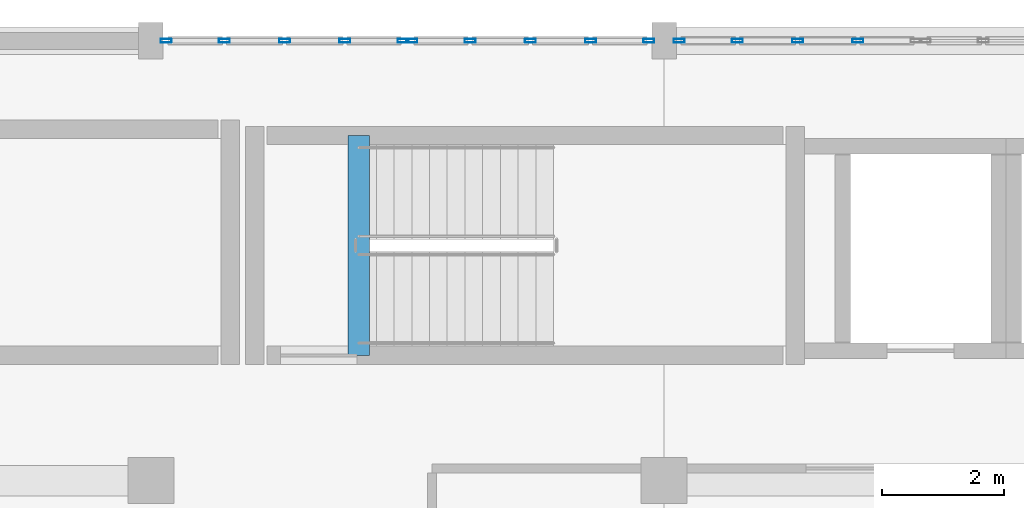
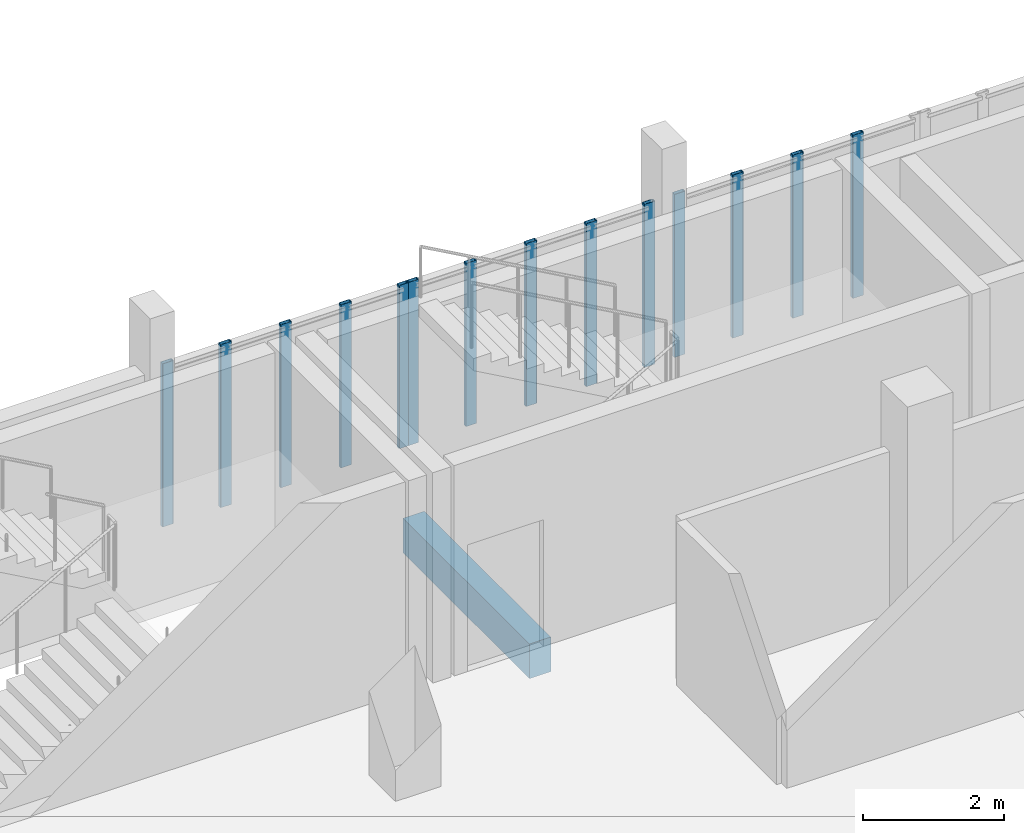
# One storey, part 114 of 188: 14 members, 1 beam, 3 elements without a shape of their own.
"""IFC4 building model written with IfcOpenShell, lengths in metres."""

from ifc_helpers import new_model, si_unit, direction, frame, origin, origin_2d, place, context, subcontext, project, spatial, rectangle, hollow_rectangle, extrude, material, layer, layer_set, material_profile, profile_set, type_object, element, aggregate, save


model = new_model("IFC4")

# Units and contexts
model_context = context("Model", 3, precision=1e-05, world=origin(), true_north=direction((0.0, 1.0)))
body_context = subcontext(model_context, "Body", "Model", "MODEL_VIEW")
ifc_project = project(units=[si_unit("LENGTHUNIT", "METRE"), si_unit("AREAUNIT", "SQUARE_METRE"), si_unit("VOLUMEUNIT", "CUBIC_METRE"), si_unit("PLANEANGLEUNIT", "RADIAN"), si_unit("MASSUNIT", "GRAM", prefix="KILO")], contexts=[model_context])

# Site, building, storey
site_placement = place(None, origin())
site = spatial("IfcSite", under=ifc_project, at=site_placement, CompositionType="ELEMENT")
building_placement = place(site_placement, origin())
building = spatial("IfcBuilding", under=site, at=building_placement, Name="Kisaragi Civic Commons", CompositionType="ELEMENT")
storey_placement = place(building_placement, frame((0.0, 0.0, 9.60009765625)))
storey = spatial("IfcBuildingStorey", under=building, at=storey_placement, Name="L02", CompositionType="ELEMENT", Elevation=9.60009765625)

# Curtain wall, members
ifc_material_1 = material(Name="Thermally broken anodized aluminium and low-E double glazing", Category="aluminium")
ifc_layer = layer(ifc_material_1, 0.179931640625, Name="Thermally broken anodized aluminium and low-E double glazing", Category="aluminium")
ifc_layer_set = layer_set([ifc_layer], Name="Thermally broken anodized aluminium and low-E double glazing")
curtain_wall_type = type_object("IfcCurtainWallType", Name="CW-01", PredefinedType="NOTDEFINED", material=ifc_layer_set)
curtain_wall_1_placement = place(storey_placement, origin())
curtain_wall_1 = element("IfcCurtainWall", 1, at=curtain_wall_1_placement, inside=storey, type_object=curtain_wall_type, Name="L02 curtain wall CW-01 CW-V4-L02-081", PredefinedType="NOTDEFINED")
ifc_material_profile_1 = material_profile(ifc_material_1, hollow_rectangle(XDim=0.06494140625, YDim=0.179931640625, WallThickness=0.00439453125, InnerFilletRadius=0.00439453125, OuterFilletRadius=0.009033203125, at=origin_2d()), Name="CWM-65x180x4.5", Category="aluminium")
ifc_profile_set_1 = profile_set([ifc_material_profile_1], Name="Thermally broken anodized aluminium and low-E double glazing")
member_type = type_object("IfcMemberType", Name="CWM-02", PredefinedType="MULLION", material=ifc_profile_set_1)
member_1_placement = place(storey_placement, frame((97.447509765625, 118.800048828125, 0.0), z_axis=(0.0, 0.0, 1.0), x_axis=(0.0, 1.0, 0.0)))
member_1 = element("IfcMember", 2, at=member_1_placement, type_object=member_type, Name="CW-01 mullion 1", PredefinedType="MULLION", context=body_context, shape_type="SweptSolid", body=[
    extrude(hollow_rectangle(XDim=0.06494140625, YDim=0.179931640625, WallThickness=0.00439453125, InnerFilletRadius=0.00439453125, OuterFilletRadius=0.009033203125, at=origin_2d()), origin(), (0.0, 0.0, 1.0), 2.829833984375),
])
member_2_placement = place(storey_placement, frame((98.4013671875, 118.800048828125, 0.0), z_axis=(0.0, 0.0, 1.0), x_axis=(0.0, 1.0, 0.0)))
member_2 = element("IfcMember", 3, at=member_2_placement, type_object=member_type, Name="CW-01 mullion 2", PredefinedType="MULLION", context=body_context, shape_type="SweptSolid", body=[
    extrude(hollow_rectangle(XDim=0.06494140625, YDim=0.179931640625, WallThickness=0.00439453125, InnerFilletRadius=0.00439453125, OuterFilletRadius=0.009033203125, at=origin_2d()), origin(), (0.0, 0.0, 1.0), 2.829833984375),
])
member_3_placement = place(storey_placement, frame((99.387451171875, 118.800048828125, 0.0), z_axis=(0.0, 0.0, 1.0), x_axis=(0.0, 1.0, 0.0)))
member_3 = element("IfcMember", 4, at=member_3_placement, type_object=member_type, Name="CW-01 mullion 3", PredefinedType="MULLION", context=body_context, shape_type="SweptSolid", body=[
    extrude(hollow_rectangle(XDim=0.06494140625, YDim=0.179931640625, WallThickness=0.00439453125, InnerFilletRadius=0.00439453125, OuterFilletRadius=0.009033203125, at=origin_2d()), origin(), (0.0, 0.0, 1.0), 2.829833984375),
])
member_4_placement = place(storey_placement, frame((100.373779296875, 118.800048828125, 0.0), z_axis=(0.0, 0.0, 1.0), x_axis=(0.0, 1.0, 0.0)))
member_4 = element("IfcMember", 5, at=member_4_placement, type_object=member_type, Name="CW-01 mullion 4", PredefinedType="MULLION", context=body_context, shape_type="SweptSolid", body=[
    extrude(hollow_rectangle(XDim=0.06494140625, YDim=0.179931640625, WallThickness=0.00439453125, InnerFilletRadius=0.00439453125, OuterFilletRadius=0.009033203125, at=origin_2d()), origin(), (0.0, 0.0, 1.0), 2.829833984375),
])
member_5_placement = place(storey_placement, frame((101.327392578125, 118.800048828125, 0.0), z_axis=(0.0, 0.0, 1.0), x_axis=(0.0, 1.0, 0.0)))
member_5 = element("IfcMember", 6, at=member_5_placement, type_object=member_type, Name="CW-01 mullion 5", PredefinedType="MULLION", context=body_context, shape_type="SweptSolid", body=[
    extrude(hollow_rectangle(XDim=0.06494140625, YDim=0.179931640625, WallThickness=0.00439453125, InnerFilletRadius=0.00439453125, OuterFilletRadius=0.009033203125, at=origin_2d()), origin(), (0.0, 0.0, 1.0), 2.829833984375),
])
aggregate(curtain_wall_1, [member_1, member_2, member_3, member_4, member_5])

curtain_wall_2_placement = place(storey_placement, origin())
curtain_wall_2 = element("IfcCurtainWall", 7, at=curtain_wall_2_placement, inside=storey, type_object=curtain_wall_type, Name="L02 curtain wall CW-01 CW-V4-L02-082", PredefinedType="NOTDEFINED")
member_6_placement = place(storey_placement, frame((101.472412109375, 118.800048828125, 0.0), z_axis=(0.0, 0.0, 1.0), x_axis=(0.0, 1.0, 0.0)))
member_6 = element("IfcMember", 8, at=member_6_placement, type_object=member_type, Name="CW-01 mullion 1", PredefinedType="MULLION", context=body_context, shape_type="SweptSolid", body=[
    extrude(hollow_rectangle(XDim=0.06494140625, YDim=0.179931640625, WallThickness=0.00439453125, InnerFilletRadius=0.00439453125, OuterFilletRadius=0.009033203125, at=origin_2d()), origin(), (0.0, 0.0, 1.0), 2.829833984375),
])
member_7_placement = place(storey_placement, frame((102.42626953125, 118.800048828125, 0.0), z_axis=(0.0, 0.0, 1.0), x_axis=(0.0, 1.0, 0.0)))
member_7 = element("IfcMember", 9, at=member_7_placement, type_object=member_type, Name="CW-01 mullion 2", PredefinedType="MULLION", context=body_context, shape_type="SweptSolid", body=[
    extrude(hollow_rectangle(XDim=0.06494140625, YDim=0.179931640625, WallThickness=0.00439453125, InnerFilletRadius=0.00439453125, OuterFilletRadius=0.009033203125, at=origin_2d()), origin(), (0.0, 0.0, 1.0), 2.829833984375),
])
member_8_placement = place(storey_placement, frame((103.41259765625, 118.800048828125, 0.0), z_axis=(0.0, 0.0, 1.0), x_axis=(0.0, 1.0, 0.0)))
member_8 = element("IfcMember", 10, at=member_8_placement, type_object=member_type, Name="CW-01 mullion 3", PredefinedType="MULLION", context=body_context, shape_type="SweptSolid", body=[
    extrude(hollow_rectangle(XDim=0.06494140625, YDim=0.179931640625, WallThickness=0.00439453125, InnerFilletRadius=0.00439453125, OuterFilletRadius=0.009033203125, at=origin_2d()), origin(), (0.0, 0.0, 1.0), 2.829833984375),
])
member_9_placement = place(storey_placement, frame((104.398681640625, 118.800048828125, 0.0), z_axis=(0.0, 0.0, 1.0), x_axis=(0.0, 1.0, 0.0)))
member_9 = element("IfcMember", 11, at=member_9_placement, type_object=member_type, Name="CW-01 mullion 4", PredefinedType="MULLION", context=body_context, shape_type="SweptSolid", body=[
    extrude(hollow_rectangle(XDim=0.06494140625, YDim=0.179931640625, WallThickness=0.00439453125, InnerFilletRadius=0.00439453125, OuterFilletRadius=0.009033203125, at=origin_2d()), origin(), (0.0, 0.0, 1.0), 2.829833984375),
])
member_10_placement = place(storey_placement, frame((105.3525390625, 118.800048828125, 0.0), z_axis=(0.0, 0.0, 1.0), x_axis=(0.0, 1.0, 0.0)))
member_10 = element("IfcMember", 12, at=member_10_placement, type_object=member_type, Name="CW-01 mullion 5", PredefinedType="MULLION", context=body_context, shape_type="SweptSolid", body=[
    extrude(hollow_rectangle(XDim=0.06494140625, YDim=0.179931640625, WallThickness=0.00439453125, InnerFilletRadius=0.00439453125, OuterFilletRadius=0.009033203125, at=origin_2d()), origin(), (0.0, 0.0, 1.0), 2.829833984375),
])
aggregate(curtain_wall_2, [member_6, member_7, member_8, member_9, member_10])

curtain_wall_3_placement = place(storey_placement, origin())
curtain_wall_3 = element("IfcCurtainWall", 13, at=curtain_wall_3_placement, inside=storey, type_object=curtain_wall_type, Name="L02 curtain wall CW-01 CW-V4-L02-083", PredefinedType="NOTDEFINED")
member_11_placement = place(storey_placement, frame((105.847412109375, 118.800048828125, 0.0), z_axis=(0.0, 0.0, 1.0), x_axis=(0.0, 1.0, 0.0)))
member_11 = element("IfcMember", 14, at=member_11_placement, type_object=member_type, Name="CW-01 mullion 1", PredefinedType="MULLION", context=body_context, shape_type="SweptSolid", body=[
    extrude(hollow_rectangle(XDim=0.06494140625, YDim=0.179931640625, WallThickness=0.00439453125, InnerFilletRadius=0.00439453125, OuterFilletRadius=0.009033203125, at=origin_2d()), origin(), (0.0, 0.0, 1.0), 2.829833984375),
])
member_12_placement = place(storey_placement, frame((106.80126953125, 118.800048828125, 0.0), z_axis=(0.0, 0.0, 1.0), x_axis=(0.0, 1.0, 0.0)))
member_12 = element("IfcMember", 15, at=member_12_placement, type_object=member_type, Name="CW-01 mullion 2", PredefinedType="MULLION", context=body_context, shape_type="SweptSolid", body=[
    extrude(hollow_rectangle(XDim=0.06494140625, YDim=0.179931640625, WallThickness=0.00439453125, InnerFilletRadius=0.00439453125, OuterFilletRadius=0.009033203125, at=origin_2d()), origin(), (0.0, 0.0, 1.0), 2.829833984375),
])
member_13_placement = place(storey_placement, frame((107.78759765625, 118.800048828125, 0.0), z_axis=(0.0, 0.0, 1.0), x_axis=(0.0, 1.0, 0.0)))
member_13 = element("IfcMember", 16, at=member_13_placement, type_object=member_type, Name="CW-01 mullion 3", PredefinedType="MULLION", context=body_context, shape_type="SweptSolid", body=[
    extrude(hollow_rectangle(XDim=0.06494140625, YDim=0.179931640625, WallThickness=0.00439453125, InnerFilletRadius=0.00439453125, OuterFilletRadius=0.009033203125, at=origin_2d()), origin(), (0.0, 0.0, 1.0), 2.829833984375),
])
member_14_placement = place(storey_placement, frame((108.773681640625, 118.800048828125, 0.0), z_axis=(0.0, 0.0, 1.0), x_axis=(0.0, 1.0, 0.0)))
member_14 = element("IfcMember", 17, at=member_14_placement, type_object=member_type, Name="CW-01 mullion 4", PredefinedType="MULLION", context=body_context, shape_type="SweptSolid", body=[
    extrude(hollow_rectangle(XDim=0.06494140625, YDim=0.179931640625, WallThickness=0.00439453125, InnerFilletRadius=0.00439453125, OuterFilletRadius=0.009033203125, at=origin_2d()), origin(), (0.0, 0.0, 1.0), 2.829833984375),
])
aggregate(curtain_wall_3, [member_11, member_12, member_13, member_14])

# Beam
ifc_material_2 = material(Name="Concrete Fc30", Category="concrete")
ifc_material_profile_2 = material_profile(ifc_material_2, rectangle(XDim=0.35009765625, YDim=0.60009765625, at=origin_2d()), Name="RC-350x600", Category="concrete")
ifc_profile_set_2 = profile_set([ifc_material_profile_2], Name="Concrete Fc30")
beam_type = type_object("IfcBeamType", Name="G-14", PredefinedType="BEAM", material=ifc_profile_set_2)
beam_placement = place(storey_placement, frame((100.60009765625, 113.64990234375, -0.300048828125), z_axis=(0.0, 1.0, 0.0), x_axis=(-1.0, 0.0, 0.0)))
element("IfcBeam", 18, at=beam_placement, inside=storey, type_object=beam_type, Name="ST-L1 L02 stair landing trimmer beam", PredefinedType="BEAM", context=body_context, shape_type="SweptSolid", body=[
    extrude(rectangle(XDim=0.35009765625, YDim=0.60009765625, at=origin_2d()), origin(), (0.0, 0.0, 1.0), 3.60009765625),
])

save(model, "model.ifc")
